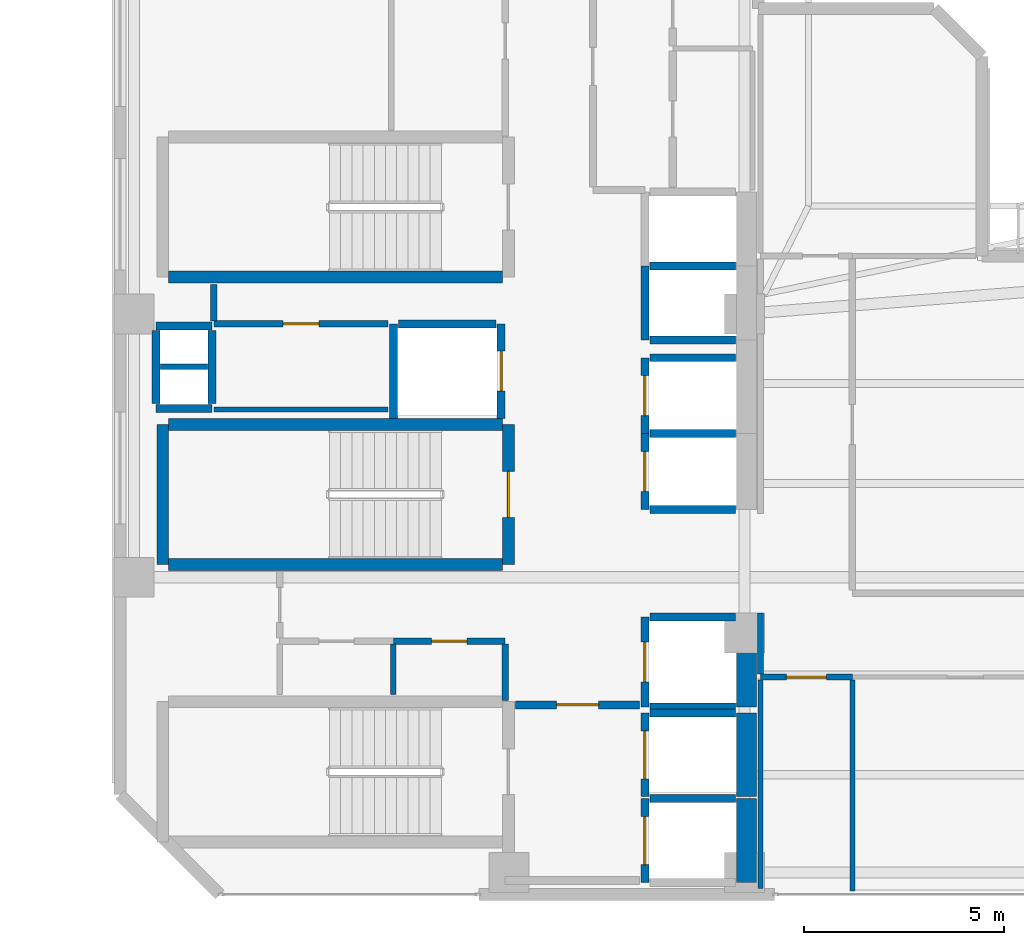
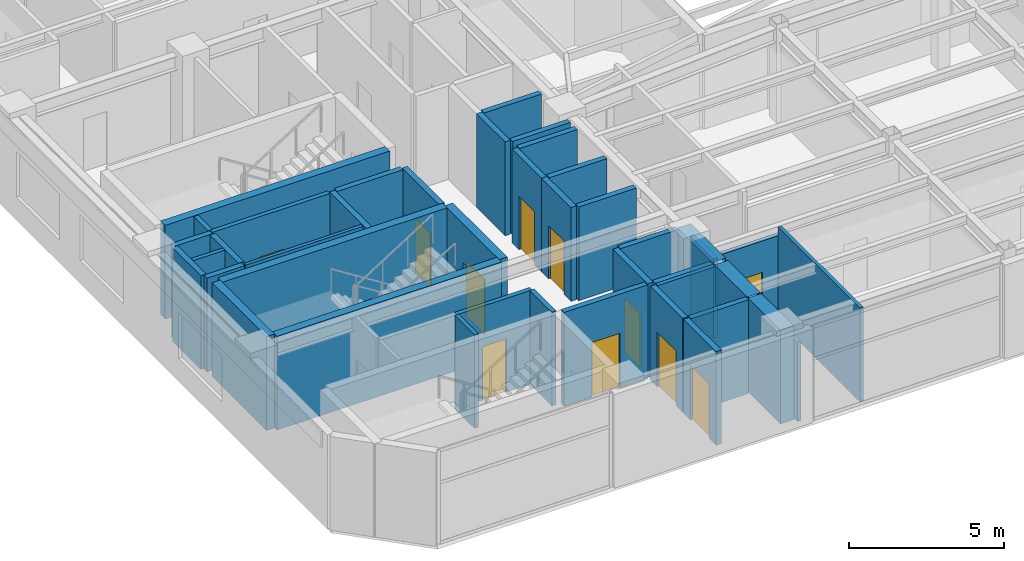
# One storey, part 9 of 16: 42 walls, 11 doors, 11 openings.
"""IFC4 building model written with IfcOpenShell, lengths in metres."""

from ifc_helpers import new_model, si_unit, direction, frame, frame_2d, origin, place, context, subcontext, project, spatial, rectangle, extrude, material, layer, layer_set, type_object, element, fill, save


model = new_model("IFC4")

# Units and contexts
model_context = context("Model", 3, precision=1e-05, world=origin(), true_north=direction((0.0, 1.0)))
body_context = subcontext(model_context, "Body", "Model", "MODEL_VIEW")
ifc_project = project(units=[si_unit("LENGTHUNIT", "METRE"), si_unit("AREAUNIT", "SQUARE_METRE"), si_unit("VOLUMEUNIT", "CUBIC_METRE"), si_unit("PLANEANGLEUNIT", "RADIAN"), si_unit("MASSUNIT", "GRAM", prefix="KILO")], contexts=[model_context])

# Site, building, storey
site_placement = place(None, origin())
site = spatial("IfcSite", under=ifc_project, at=site_placement, CompositionType="ELEMENT")
building_placement = place(site_placement, origin())
building = spatial("IfcBuilding", under=site, at=building_placement, Name="Mawjaban Terraces University", CompositionType="ELEMENT")
storey_placement = place(building_placement, frame((0.0, 0.0, 230.39990234375)))
storey = spatial("IfcBuildingStorey", under=building, at=storey_placement, Name="L56", CompositionType="ELEMENT", Elevation=230.39990234375)

# Walls
ifc_material_1 = material(Name="Concrete C60/75", Category="concrete")
ifc_layer_1 = layer(ifc_material_1, 0.5)
ifc_layer_set_1 = layer_set([ifc_layer_1], Name="Concrete C60/75")
wall_type_1 = type_object("IfcWallType", Name="CoreShearWall_500", PredefinedType="SHEAR", material=ifc_layer_set_1)
wall_1_placement = place(storey_placement, frame((37.699951171875, 0.300048828125, 0.0), z_axis=(0.0, 0.0, 1.0), x_axis=(0.0, 1.0, 0.0)))
element("IfcWall", 1, at=wall_1_placement, inside=storey, type_object=wall_type_1, Name="L56 Lift FL-1 Hoistway Wall East", PredefinedType="SHEAR", context=body_context, shape_type="SweptSolid", body=[
    extrude(rectangle(XDim=2.099853515625, YDim=0.5, at=frame_2d((1.0498046875, 0.0))), origin(), (0.0, 0.0, 1.0), 3.690185546875),
])
wall_2_placement = place(storey_placement, frame((37.699951171875, 2.449951171875, 0.0), z_axis=(0.0, 0.0, 1.0), x_axis=(0.0, 1.0, 0.0)))
element("IfcWall", 2, at=wall_2_placement, inside=storey, type_object=wall_type_1, Name="L56 Lift FL-2 Hoistway Wall East", PredefinedType="SHEAR", context=body_context, shape_type="SweptSolid", body=[
    extrude(rectangle(XDim=2.10009765625, YDim=0.5, at=frame_2d((1.050048828125, 0.0))), origin(), (0.0, 0.0, 1.0), 3.690185546875),
])
wall_3_placement = place(storey_placement, frame((37.699951171875, 4.699951171875, 0.0), z_axis=(0.0, 0.0, 1.0), x_axis=(0.0, 1.0, 0.0)))
element("IfcWall", 3, at=wall_3_placement, inside=storey, type_object=wall_type_1, Name="L56 Lift SL-1 Hoistway Wall East", PredefinedType="SHEAR", context=body_context, shape_type="SweptSolid", body=[
    extrude(rectangle(XDim=2.25, YDim=0.5, at=frame_2d((1.125, 0.0))), origin(), (0.0, 0.0, 1.0), 3.690185546875),
])

# Wall, opening, door
ifc_material_2 = material(Name="Fire-rated gypsum board on steel stud", Category="steel")
ifc_layer_2 = layer(ifc_material_2, 0.159912109375)
ifc_layer_set_2 = layer_set([ifc_layer_2], Name="Fire-rated gypsum board on steel stud")
wall_type_2 = type_object("IfcWallType", Name="CorridorPartition_160", PredefinedType="PARTITIONING", material=ifc_layer_set_2)
wall_4_placement = place(storey_placement, frame((24.35009765625, 14.300048828125, 0.0), z_axis=(0.0, 0.0, 1.0), x_axis=(1.0, 0.0, 0.0)))
wall_4 = element("IfcWall", 4, at=wall_4_placement, inside=storey, type_object=wall_type_2, Name="L56 Core Riser Access Passage Partition 2", PredefinedType="PARTITIONING", context=body_context, shape_type="SweptSolid", body=[
    extrude(rectangle(XDim=4.369873046875, YDim=0.159912109375, at=frame_2d((2.18505859375, 0.0))), origin(), (0.0, 0.0, 1.0), 3.690185546875),
])
opening_1_placement = place(wall_4_placement, frame((1.735107421875, 0.0, 0.0)))
opening_1 = element("IfcOpeningElement", 5, at=opening_1_placement, cuts=wall_4, Name="Opening ID-090", PredefinedType="OPENING", context=body_context, shape_type="SweptSolid", body=[
    extrude(rectangle(XDim=0.89990234375, YDim=2.10009765625, at=frame_2d((0.449951171875, 1.050048828125))), frame((0.0, 0.08984375, 0.0), z_axis=(0.0, -1.0, 0.0), x_axis=(1.0, 0.0, 0.0)), (0.0, 0.0, 1.0), 0.179931640625),
])
ifc_material_3 = material(Name="Powder-coated steel frame and solid acoustic timber leaf", Category="steel")
door_type_1 = type_object("IfcDoorType", Name="OfficeDoor_900x2100", OperationType="NOTDEFINED", PredefinedType="DOOR", material=ifc_material_3)
door_1_placement = place(opening_1_placement, origin())
door_1 = element("IfcDoor", 6, at=door_1_placement, inside=storey, type_object=door_type_1, Name="L56 Cleaner Store Door", OperationType="SINGLE_SWING_RIGHT", OverallHeight=2.10009765625, OverallWidth=0.89990234375, PredefinedType="DOOR", context=body_context, shape_type="SweptSolid", body=[
    extrude(rectangle(XDim=0.89990234375, YDim=2.10009765625, at=frame_2d((0.449951171875, 1.050048828125))), frame((0.0, 0.02490234375, 0.0), z_axis=(0.0, -1.0, 0.0), x_axis=(1.0, 0.0, 0.0)), (0.0, 0.0, 1.0), 0.050048828125),
])
fill(opening_1, door_1)

wall_5_placement = place(storey_placement, frame((28.85009765625, 6.35009765625, 0.0), z_axis=(0.0, 0.0, 1.0), x_axis=(1.0, 0.0, 0.0)))
wall_5 = element("IfcWall", 7, at=wall_5_placement, inside=storey, type_object=wall_type_2, Name="L56 Core Washroom Lobby Partition 8", PredefinedType="PARTITIONING", context=body_context, shape_type="SweptSolid", body=[
    extrude(rectangle(XDim=2.7998046875, YDim=0.159912109375, at=frame_2d((1.39990234375, 0.0))), origin(), (0.0, 0.0, 1.0), 3.690185546875),
])
opening_2_placement = place(wall_5_placement, frame((0.9599609375, 0.0, 0.0)))
opening_2 = element("IfcOpeningElement", 8, at=opening_2_placement, cuts=wall_5, Name="Opening ID-088", PredefinedType="OPENING", context=body_context, shape_type="SweptSolid", body=[
    extrude(rectangle(XDim=0.8798828125, YDim=2.10009765625, at=frame_2d((0.43994140625, 1.050048828125))), frame((0.0, 0.08984375, 0.0), z_axis=(0.0, -1.0, 0.0), x_axis=(1.0, 0.0, 0.0)), (0.0, 0.0, 1.0), 0.179931640625),
])
door_type_2 = type_object("IfcDoorType", Name="ToiletDoor_880x2100", OperationType="NOTDEFINED", PredefinedType="DOOR", material=ifc_material_3)
door_2_placement = place(opening_2_placement, origin())
door_2 = element("IfcDoor", 9, at=door_2_placement, inside=storey, type_object=door_type_2, Name="L56 Accessible Toilet Door", OperationType="SINGLE_SWING_LEFT", OverallHeight=2.10009765625, OverallWidth=0.8798828125, PredefinedType="DOOR", context=body_context, shape_type="SweptSolid", body=[
    extrude(rectangle(XDim=0.8798828125, YDim=2.10009765625, at=frame_2d((0.43994140625, 1.050048828125))), frame((0.0, 0.02490234375, 0.0), z_axis=(0.0, -1.0, 0.0), x_axis=(1.0, 0.0, 0.0)), (0.0, 0.0, 1.0), 0.050048828125),
])
fill(opening_2, door_2)

wall_6_placement = place(storey_placement, frame((38.050048828125, 5.449951171875, 0.0), z_axis=(0.0, 0.0, 1.0), x_axis=(1.0, 0.0, 0.0)))
wall_6 = element("IfcWall", 10, at=wall_6_placement, inside=storey, type_object=wall_type_2, Name="L56 South Spine Spur Link Partition 19", PredefinedType="PARTITIONING", context=body_context, shape_type="SweptSolid", body=[
    extrude(rectangle(XDim=2.300048828125, YDim=0.159912109375, at=frame_2d((1.14990234375, 0.0))), origin(), (0.0, 0.0, 1.0), 3.343017578125),
])
opening_3_placement = place(wall_6_placement, frame((0.64990234375, 0.0, 0.0)))
opening_3 = element("IfcOpeningElement", 11, at=opening_3_placement, cuts=wall_6, Name="Opening ID-100", PredefinedType="OPENING", context=body_context, shape_type="SweptSolid", body=[
    extrude(rectangle(XDim=1.0, YDim=2.10009765625, at=frame_2d((0.5, 1.050048828125))), frame((0.0, 0.08984375, 0.0), z_axis=(0.0, -1.0, 0.0), x_axis=(1.0, 0.0, 0.0)), (0.0, 0.0, 1.0), 0.179931640625),
])
door_type_3 = type_object("IfcDoorType", Name="ClassroomDoor_1000x2100", OperationType="NOTDEFINED", PredefinedType="DOOR", material=ifc_material_3)
door_3_placement = place(opening_3_placement, origin())
door_3 = element("IfcDoor", 12, at=door_3_placement, inside=storey, type_object=door_type_3, Name="L56 Tutorial Room 1 Door", OperationType="SINGLE_SWING_RIGHT", OverallHeight=2.10009765625, OverallWidth=1.0, PredefinedType="DOOR", context=body_context, shape_type="SweptSolid", body=[
    extrude(rectangle(XDim=1.0, YDim=2.10009765625, at=frame_2d((0.5, 1.050048828125))), frame((0.0, 0.02490234375, 0.0), z_axis=(0.0, -1.0, 0.0), x_axis=(1.0, 0.0, 0.0)), (0.0, 0.0, 1.0), 0.050048828125),
])
fill(opening_3, door_3)

# Walls
wall_7_placement = place(storey_placement, frame((24.35009765625, 15.2900390625, 0.0), z_axis=(0.0, 0.0, 1.0), x_axis=(0.0, -1.0, 0.0)))
element("IfcWall", 13, at=wall_7_placement, inside=storey, type_object=wall_type_2, Name="L56 Core Riser Access Passage Partition 30", PredefinedType="PARTITIONING", context=body_context, shape_type="SweptSolid", body=[
    extrude(rectangle(XDim=0.9150390625, YDim=0.159912109375, at=frame_2d((0.45751953125, 0.0))), origin(), (0.0, 0.0, 1.0), 3.690185546875),
])
wall_8_placement = place(storey_placement, frame((31.64990234375, 4.860107421875, 0.0), z_axis=(0.0, 0.0, 1.0), x_axis=(0.0, 1.0, 0.0)))
element("IfcWall", 14, at=wall_8_placement, inside=storey, type_object=wall_type_2, Name="L56 Accessible Toilet Partition 41", PredefinedType="PARTITIONING", context=body_context, shape_type="SweptSolid", body=[
    extrude(rectangle(XDim=1.414794921875, YDim=0.159912109375, at=frame_2d((0.70751953125, 0.0))), origin(), (0.0, 0.0, 1.0), 3.690185546875),
])
wall_9_placement = place(storey_placement, frame((38.050048828125, 7.050048828125, 0.0), z_axis=(0.0, 0.0, 1.0), x_axis=(0.0, -1.0, 0.0)))
element("IfcWall", 15, at=wall_9_placement, inside=storey, type_object=wall_type_2, Name="L56 South Spine Spur Link Partition 48", PredefinedType="PARTITIONING", context=body_context, shape_type="SweptSolid", body=[
    extrude(rectangle(XDim=1.525146484375, YDim=0.159912109375, at=frame_2d((0.7626953125, 0.0))), origin(), (0.0, 0.0, 1.0), 3.13916015625),
])

# Wall, opening, door
ifc_material_4 = material(Name="Concrete C40/50", Category="concrete")
ifc_layer_3 = layer(ifc_material_4, 0.199951171875)
ifc_layer_set_3 = layer_set([ifc_layer_3], Name="Concrete C40/50")
wall_type_3 = type_object("IfcWallType", Name="FireLobbyWall_200", PredefinedType="SOLIDWALL", material=ifc_layer_set_3)
wall_10_placement = place(storey_placement, frame((35.14990234375, 2.39990234375, 0.0), z_axis=(0.0, 0.0, 1.0), x_axis=(0.0, -1.0, 0.0)))
wall_10 = element("IfcWall", 16, at=wall_10_placement, inside=storey, type_object=wall_type_3, Name="L56 Lift FL-1 Hoistway Wall West", PredefinedType="SOLIDWALL", context=body_context, shape_type="SweptSolid", body=[
    extrude(rectangle(XDim=2.099853515625, YDim=0.199951171875, at=frame_2d((1.0498046875, 0.0))), origin(), (0.0, 0.0, 1.0), 3.690185546875),
])
opening_4_placement = place(wall_10_placement, frame((0.449951171875, 0.0, 0.0)))
opening_4 = element("IfcOpeningElement", 17, at=opening_4_placement, cuts=wall_10, Name="Opening LD-FL-1", PredefinedType="OPENING", context=body_context, shape_type="SweptSolid", body=[
    extrude(rectangle(XDim=1.199951171875, YDim=2.14990234375, at=frame_2d((0.60009765625, 1.074951171875))), frame((0.0, 0.10986328125, 0.0), z_axis=(0.0, -1.0, 0.0), x_axis=(1.0, 0.0, 0.0)), (0.0, 0.0, 1.0), 0.219970703125),
])
ifc_material_5 = material(Name="Powder-coated steel frame and fire-rated steel-faced leaf", Category="steel")
door_type_4 = type_object("IfcDoorType", Name="LiftLandingFSAE_1200x2150", OperationType="NOTDEFINED", PredefinedType="DOOR", material=ifc_material_5)
door_4_placement = place(opening_4_placement, origin())
door_4 = element("IfcDoor", 18, at=door_4_placement, inside=storey, type_object=door_type_4, Name="L56 Lift FL-1 Sliding Landing Door", OperationType="DOUBLE_DOOR_SLIDING", OverallHeight=2.14990234375, OverallWidth=1.199951171875, PredefinedType="DOOR", context=body_context, shape_type="SweptSolid", body=[
    extrude(rectangle(XDim=1.199951171875, YDim=2.14990234375, at=frame_2d((0.60009765625, 1.074951171875))), frame((0.0, 0.02490234375, 0.0), z_axis=(0.0, -1.0, 0.0), x_axis=(1.0, 0.0, 0.0)), (0.0, 0.0, 1.0), 0.050048828125),
])
fill(opening_4, door_4)

# Wall
wall_11_placement = place(storey_placement, frame((37.419921875, 2.39990234375, 0.0), z_axis=(0.0, 0.0, 1.0), x_axis=(-1.0, 0.0, 0.0)))
element("IfcWall", 19, at=wall_11_placement, inside=storey, type_object=wall_type_3, Name="L56 Lift FL-1 Hoistway Wall North", PredefinedType="SOLIDWALL", context=body_context, shape_type="SweptSolid", body=[
    extrude(rectangle(XDim=2.139892578125, YDim=0.199951171875, at=frame_2d((1.06982421875, 0.0))), origin(), (0.0, 0.0, 1.0), 3.690185546875),
])

# Wall, opening, door
wall_12_placement = place(storey_placement, frame((35.14990234375, 4.550048828125, 0.0), z_axis=(0.0, 0.0, 1.0), x_axis=(0.0, -1.0, 0.0)))
wall_12 = element("IfcWall", 20, at=wall_12_placement, inside=storey, type_object=wall_type_3, Name="L56 Lift FL-2 Hoistway Wall West", PredefinedType="SOLIDWALL", context=body_context, shape_type="SweptSolid", body=[
    extrude(rectangle(XDim=2.10009765625, YDim=0.199951171875, at=frame_2d((1.050048828125, 0.0))), origin(), (0.0, 0.0, 1.0), 3.690185546875),
])
opening_5_placement = place(wall_12_placement, frame((0.449951171875, 0.0, 0.0)))
opening_5 = element("IfcOpeningElement", 21, at=opening_5_placement, cuts=wall_12, Name="Opening LD-FL-2", PredefinedType="OPENING", context=body_context, shape_type="SweptSolid", body=[
    extrude(rectangle(XDim=1.199951171875, YDim=2.14990234375, at=frame_2d((0.60009765625, 1.074951171875))), frame((0.0, 0.10986328125, 0.0), z_axis=(0.0, -1.0, 0.0), x_axis=(1.0, 0.0, 0.0)), (0.0, 0.0, 1.0), 0.219970703125),
])
door_5_placement = place(opening_5_placement, origin())
door_5 = element("IfcDoor", 22, at=door_5_placement, inside=storey, type_object=door_type_4, Name="L56 Lift FL-2 Sliding Landing Door", OperationType="DOUBLE_DOOR_SLIDING", OverallHeight=2.14990234375, OverallWidth=1.199951171875, PredefinedType="DOOR", context=body_context, shape_type="SweptSolid", body=[
    extrude(rectangle(XDim=1.199951171875, YDim=2.14990234375, at=frame_2d((0.60009765625, 1.074951171875))), frame((0.0, 0.02490234375, 0.0), z_axis=(0.0, -1.0, 0.0), x_axis=(1.0, 0.0, 0.0)), (0.0, 0.0, 1.0), 0.050048828125),
])
fill(opening_5, door_5)

# Wall
wall_13_placement = place(storey_placement, frame((37.419921875, 4.550048828125, 0.0), z_axis=(0.0, 0.0, 1.0), x_axis=(-1.0, 0.0, 0.0)))
element("IfcWall", 23, at=wall_13_placement, inside=storey, type_object=wall_type_3, Name="L56 Lift FL-2 Hoistway Wall North", PredefinedType="SOLIDWALL", context=body_context, shape_type="SweptSolid", body=[
    extrude(rectangle(XDim=2.139892578125, YDim=0.199951171875, at=frame_2d((1.06982421875, 0.0))), origin(), (0.0, 0.0, 1.0), 3.690185546875),
])

# Wall, opening, door
wall_14_placement = place(storey_placement, frame((35.14990234375, 6.949951171875, 0.0), z_axis=(0.0, 0.0, 1.0), x_axis=(0.0, -1.0, 0.0)))
wall_14 = element("IfcWall", 24, at=wall_14_placement, inside=storey, type_object=wall_type_3, Name="L56 Lift SL-1 Hoistway Wall West", PredefinedType="SOLIDWALL", context=body_context, shape_type="SweptSolid", body=[
    extrude(rectangle(XDim=2.25, YDim=0.199951171875, at=frame_2d((1.125, 0.0))), origin(), (0.0, 0.0, 1.0), 3.690185546875),
])
opening_6_placement = place(wall_14_placement, frame((0.625, 0.0, 0.0)))
opening_6 = element("IfcOpeningElement", 25, at=opening_6_placement, cuts=wall_14, Name="Opening LD-SL-1", PredefinedType="OPENING", context=body_context, shape_type="SweptSolid", body=[
    extrude(rectangle(XDim=1.0, YDim=2.10009765625, at=frame_2d((0.5, 1.050048828125))), frame((0.0, 0.10986328125, 0.0), z_axis=(0.0, -1.0, 0.0), x_axis=(1.0, 0.0, 0.0)), (0.0, 0.0, 1.0), 0.219970703125),
])
door_type_5 = type_object("IfcDoorType", Name="LiftLandingSliding_1000x2100", OperationType="NOTDEFINED", PredefinedType="DOOR", material=ifc_material_5)
door_6_placement = place(opening_6_placement, origin())
door_6 = element("IfcDoor", 26, at=door_6_placement, inside=storey, type_object=door_type_5, Name="L56 Lift SL-1 Sliding Landing Door", OperationType="DOUBLE_DOOR_SLIDING", OverallHeight=2.10009765625, OverallWidth=1.0, PredefinedType="DOOR", context=body_context, shape_type="SweptSolid", body=[
    extrude(rectangle(XDim=1.0, YDim=2.10009765625, at=frame_2d((0.5, 1.050048828125))), frame((0.0, 0.02490234375, 0.0), z_axis=(0.0, -1.0, 0.0), x_axis=(1.0, 0.0, 0.0)), (0.0, 0.0, 1.0), 0.050048828125),
])
fill(opening_6, door_6)

# Walls
for number, where, z_axis, x_axis, name in (
    (27, (35.280029296875, 4.699951171875, 0.0), (0.0, 0.0, 1.0), (1.0, 0.0, 0.0), "L56 Lift SL-1 Hoistway Wall South"),
    (28, (37.419921875, 6.949951171875, 0.0), (0.0, 0.0, 1.0), (-1.0, 0.0, 0.0), "L56 Lift SL-1 Hoistway Wall North"),
):
    element("IfcWall", number, at=place(storey_placement, frame(where, z_axis=z_axis, x_axis=x_axis)), inside=storey, type_object=wall_type_3, Name=name, PredefinedType="SOLIDWALL", context=body_context, shape_type="SweptSolid", body=[
        extrude(rectangle(XDim=2.139892578125, YDim=0.199951171875, at=frame_2d((1.06982421875, 0.0))), origin(), (0.0, 0.0, 1.0), 3.690185546875),
    ])

# Wall, opening, door
wall_15_placement = place(storey_placement, frame((35.14990234375, 11.550048828125, 0.0), z_axis=(0.0, 0.0, 1.0), x_axis=(0.0, -1.0, 0.0)))
wall_15 = element("IfcWall", 29, at=wall_15_placement, inside=storey, type_object=wall_type_3, Name="L56 Lift PL-H1 Hoistway Wall West", PredefinedType="SOLIDWALL", context=body_context, shape_type="SweptSolid", body=[
    extrude(rectangle(XDim=1.900146484375, YDim=0.199951171875, at=frame_2d((0.9501953125, 0.0))), origin(), (0.0, 0.0, 1.0), 3.690185546875),
])
opening_7_placement = place(wall_15_placement, frame((0.449951171875, 0.0, 0.0)))
opening_7 = element("IfcOpeningElement", 30, at=opening_7_placement, cuts=wall_15, Name="Opening LD-PL-H1", PredefinedType="OPENING", context=body_context, shape_type="SweptSolid", body=[
    extrude(rectangle(XDim=1.0, YDim=2.10009765625, at=frame_2d((0.5, 1.050048828125))), frame((0.0, 0.10986328125, 0.0), z_axis=(0.0, -1.0, 0.0), x_axis=(1.0, 0.0, 0.0)), (0.0, 0.0, 1.0), 0.219970703125),
])
door_7_placement = place(opening_7_placement, origin())
door_7 = element("IfcDoor", 31, at=door_7_placement, inside=storey, type_object=door_type_5, Name="L56 Lift PL-H1 Sliding Landing Door", OperationType="DOUBLE_DOOR_SLIDING", OverallHeight=2.10009765625, OverallWidth=1.0, PredefinedType="DOOR", context=body_context, shape_type="SweptSolid", body=[
    extrude(rectangle(XDim=1.0, YDim=2.10009765625, at=frame_2d((0.5, 1.050048828125))), frame((0.0, 0.02490234375, 0.0), z_axis=(0.0, -1.0, 0.0), x_axis=(1.0, 0.0, 0.0)), (0.0, 0.0, 1.0), 0.050048828125),
])
fill(opening_7, door_7)

# Walls
for number, where, z_axis, x_axis, name in (
    (32, (35.280029296875, 9.64990234375, 0.0), (0.0, 0.0, 1.0), (1.0, 0.0, 0.0), "L56 Lift PL-H1 Hoistway Wall South"),
    (33, (37.419921875, 11.550048828125, 0.0), (0.0, 0.0, 1.0), (-1.0, 0.0, 0.0), "L56 Lift PL-H1 Hoistway Wall North"),
):
    element("IfcWall", number, at=place(storey_placement, frame(where, z_axis=z_axis, x_axis=x_axis)), inside=storey, type_object=wall_type_3, Name=name, PredefinedType="SOLIDWALL", context=body_context, shape_type="SweptSolid", body=[
        extrude(rectangle(XDim=2.139892578125, YDim=0.199951171875, at=frame_2d((1.06982421875, 0.0))), origin(), (0.0, 0.0, 1.0), 3.690185546875),
    ])

# Wall, opening, door
wall_16_placement = place(storey_placement, frame((35.14990234375, 13.449951171875, 0.0), z_axis=(0.0, 0.0, 1.0), x_axis=(0.0, -1.0, 0.0)))
wall_16 = element("IfcWall", 34, at=wall_16_placement, inside=storey, type_object=wall_type_3, Name="L56 Lift PL-H2 Hoistway Wall West", PredefinedType="SOLIDWALL", context=body_context, shape_type="SweptSolid", body=[
    extrude(rectangle(XDim=1.89990234375, YDim=0.199951171875, at=frame_2d((0.949951171875, 0.0))), origin(), (0.0, 0.0, 1.0), 3.690185546875),
])
opening_8_placement = place(wall_16_placement, frame((0.449951171875, 0.0, 0.0)))
opening_8 = element("IfcOpeningElement", 35, at=opening_8_placement, cuts=wall_16, Name="Opening LD-PL-H2", PredefinedType="OPENING", context=body_context, shape_type="SweptSolid", body=[
    extrude(rectangle(XDim=1.0, YDim=2.10009765625, at=frame_2d((0.5, 1.050048828125))), frame((0.0, 0.10986328125, 0.0), z_axis=(0.0, -1.0, 0.0), x_axis=(1.0, 0.0, 0.0)), (0.0, 0.0, 1.0), 0.219970703125),
])
door_8_placement = place(opening_8_placement, origin())
door_8 = element("IfcDoor", 36, at=door_8_placement, inside=storey, type_object=door_type_5, Name="L56 Lift PL-H2 Sliding Landing Door", OperationType="DOUBLE_DOOR_SLIDING", OverallHeight=2.10009765625, OverallWidth=1.0, PredefinedType="DOOR", context=body_context, shape_type="SweptSolid", body=[
    extrude(rectangle(XDim=1.0, YDim=2.10009765625, at=frame_2d((0.5, 1.050048828125))), frame((0.0, 0.02490234375, 0.0), z_axis=(0.0, -1.0, 0.0), x_axis=(1.0, 0.0, 0.0)), (0.0, 0.0, 1.0), 0.050048828125),
])
fill(opening_8, door_8)

# Walls
wall_17_placement = place(storey_placement, frame((37.419921875, 13.449951171875, 0.0), z_axis=(0.0, 0.0, 1.0), x_axis=(-1.0, 0.0, 0.0)))
element("IfcWall", 37, at=wall_17_placement, inside=storey, type_object=wall_type_3, Name="L56 Lift PL-H2 Hoistway Wall North", PredefinedType="SOLIDWALL", context=body_context, shape_type="SweptSolid", body=[
    extrude(rectangle(XDim=2.139892578125, YDim=0.199951171875, at=frame_2d((1.06982421875, 0.0))), origin(), (0.0, 0.0, 1.0), 3.690185546875),
])
wall_18_placement = place(storey_placement, frame((28.85009765625, 14.300048828125, 0.0), z_axis=(0.0, 0.0, 1.0), x_axis=(0.0, -1.0, 0.0)))
element("IfcWall", 38, at=wall_18_placement, inside=storey, type_object=wall_type_3, Name="L56 Lift PL-H3 Hoistway Wall West", PredefinedType="SOLIDWALL", context=body_context, shape_type="SweptSolid", body=[
    extrude(rectangle(XDim=2.3701171875, YDim=0.199951171875, at=frame_2d((1.18505859375, 0.0))), origin(), (0.0, 0.0, 1.0), 3.690185546875),
])

# Wall, opening, door
wall_19_placement = place(storey_placement, frame((31.550048828125, 11.929931640625, 0.0), z_axis=(0.0, 0.0, 1.0), x_axis=(0.0, 1.0, 0.0)))
wall_19 = element("IfcWall", 39, at=wall_19_placement, inside=storey, type_object=wall_type_3, Name="L56 Lift PL-H3 Hoistway Wall East", PredefinedType="SOLIDWALL", context=body_context, shape_type="SweptSolid", body=[
    extrude(rectangle(XDim=2.3701171875, YDim=0.199951171875, at=frame_2d((1.18505859375, 0.0))), origin(), (0.0, 0.0, 1.0), 3.690185546875),
])
opening_9_placement = place(wall_19_placement, frame((0.68505859375, 0.0, 0.0)))
opening_9 = element("IfcOpeningElement", 40, at=opening_9_placement, cuts=wall_19, Name="Opening LD-PL-H3", PredefinedType="OPENING", context=body_context, shape_type="SweptSolid", body=[
    extrude(rectangle(XDim=1.0, YDim=2.10009765625, at=frame_2d((0.5, 1.050048828125))), frame((0.0, 0.10986328125, 0.0), z_axis=(0.0, -1.0, 0.0), x_axis=(1.0, 0.0, 0.0)), (0.0, 0.0, 1.0), 0.219970703125),
])
door_9_placement = place(opening_9_placement, origin())
door_9 = element("IfcDoor", 41, at=door_9_placement, inside=storey, type_object=door_type_5, Name="L56 Lift PL-H3 Sliding Landing Door", OperationType="DOUBLE_DOOR_SLIDING", OverallHeight=2.10009765625, OverallWidth=1.0, PredefinedType="DOOR", context=body_context, shape_type="SweptSolid", body=[
    extrude(rectangle(XDim=1.0, YDim=2.10009765625, at=frame_2d((0.5, 1.050048828125))), frame((0.0, 0.02490234375, 0.0), z_axis=(0.0, -1.0, 0.0), x_axis=(1.0, 0.0, 0.0)), (0.0, 0.0, 1.0), 0.050048828125),
])
fill(opening_9, door_9)

# Walls
wall_20_placement = place(storey_placement, frame((31.419921875, 14.300048828125, 0.0), z_axis=(0.0, 0.0, 1.0), x_axis=(-1.0, 0.0, 0.0)))
element("IfcWall", 42, at=wall_20_placement, inside=storey, type_object=wall_type_3, Name="L56 Lift PL-H3 Hoistway Wall North", PredefinedType="SOLIDWALL", context=body_context, shape_type="SweptSolid", body=[
    extrude(rectangle(XDim=2.43994140625, YDim=0.199951171875, at=frame_2d((1.219970703125, 0.0))), origin(), (0.0, 0.0, 1.0), 3.690185546875),
])
wall_21_placement = place(storey_placement, frame((35.14990234375, 15.75, 0.0), z_axis=(0.0, 0.0, 1.0), x_axis=(0.0, -1.0, 0.0)))
element("IfcWall", 43, at=wall_21_placement, inside=storey, type_object=wall_type_3, Name="L56 Lift OL-1 Hoistway Wall West", PredefinedType="SOLIDWALL", context=body_context, shape_type="SweptSolid", body=[
    extrude(rectangle(XDim=1.85009765625, YDim=0.199951171875, at=frame_2d((0.925048828125, 0.0))), origin(), (0.0, 0.0, 1.0), 3.690185546875),
])
for number, where, z_axis, x_axis, name in (
    (44, (35.280029296875, 13.89990234375, 0.0), (0.0, 0.0, 1.0), (1.0, 0.0, 0.0), "L56 Lift OL-1 Hoistway Wall South"),
    (45, (37.419921875, 15.75, 0.0), (0.0, 0.0, 1.0), (-1.0, 0.0, 0.0), "L56 Lift OL-1 Hoistway Wall North"),
):
    element("IfcWall", number, at=place(storey_placement, frame(where, z_axis=z_axis, x_axis=x_axis)), inside=storey, type_object=wall_type_3, Name=name, PredefinedType="SOLIDWALL", context=body_context, shape_type="SweptSolid", body=[
        extrude(rectangle(XDim=2.139892578125, YDim=0.199951171875, at=frame_2d((1.06982421875, 0.0))), origin(), (0.0, 0.0, 1.0), 3.690185546875),
    ])
for number, where, z_axis, x_axis, name in (
    (46, (22.89990234375, 14.25, 0.0), (0.0, 0.0, 1.0), (1.0, 0.0, 0.0), "L56 MEP Riser Shaft Wall N"),
    (47, (22.89990234375, 12.179931640625, 0.0), (0.0, 0.0, 1.0), (1.0, 0.0, 0.0), "L56 MEP Riser Shaft Wall S"),
):
    element("IfcWall", number, at=place(storey_placement, frame(where, z_axis=z_axis, x_axis=x_axis)), inside=storey, type_object=wall_type_3, Name=name, PredefinedType="SOLIDWALL", context=body_context, shape_type="SweptSolid", body=[
        extrude(rectangle(XDim=1.400146484375, YDim=0.199951171875, at=frame_2d((0.7001953125, 0.0))), origin(), (0.0, 0.0, 1.0), 3.690185546875),
    ])
for number, where, z_axis, x_axis, name in (
    (48, (24.300048828125, 12.300048828125, 0.0), (0.0, 0.0, 1.0), (0.0, 1.0, 0.0), "L56 MEP Riser Shaft Wall E"),
    (49, (22.89990234375, 12.300048828125, 0.0), (0.0, 0.0, 1.0), (0.0, 1.0, 0.0), "L56 MEP Riser Shaft Wall W"),
):
    element("IfcWall", number, at=place(storey_placement, frame(where, z_axis=z_axis, x_axis=x_axis)), inside=storey, type_object=wall_type_3, Name=name, PredefinedType="SOLIDWALL", context=body_context, shape_type="SweptSolid", body=[
        extrude(rectangle(XDim=1.829833984375, YDim=0.199951171875, at=frame_2d((0.9150390625, 0.0))), origin(), (0.0, 0.0, 1.0), 3.690185546875),
    ])

# Wall, opening, door
wall_22_placement = place(storey_placement, frame((35.02001953125, 4.75, 0.0), z_axis=(0.0, 0.0, 1.0), x_axis=(-1.0, 0.0, 0.0)))
wall_22 = element("IfcWall", 50, at=wall_22_placement, inside=storey, type_object=wall_type_3, Name="L56 Firefighting Lift Lobby Partition 12", PredefinedType="SOLIDWALL", context=body_context, shape_type="SweptSolid", body=[
    extrude(rectangle(XDim=3.110107421875, YDim=0.199951171875, at=frame_2d((1.55517578125, 0.0))), origin(), (0.0, 0.0, 1.0), 3.690185546875),
])
opening_10_placement = place(wall_22_placement, frame((1.030029296875, 0.0, 0.0)))
opening_10 = element("IfcOpeningElement", 51, at=opening_10_placement, cuts=wall_22, Name="Opening FD-105", PredefinedType="OPENING", context=body_context, shape_type="SweptSolid", body=[
    extrude(rectangle(XDim=1.050048828125, YDim=2.14990234375, at=frame_2d((0.52490234375, 1.074951171875))), frame((0.0, 0.10986328125, 0.0), z_axis=(0.0, -1.0, 0.0), x_axis=(1.0, 0.0, 0.0)), (0.0, 0.0, 1.0), 0.219970703125),
])
door_type_6 = type_object("IfcDoorType", Name="FireLobbyDoor_1050x2150", OperationType="NOTDEFINED", PredefinedType="DOOR", material=ifc_material_5)
door_10_placement = place(opening_10_placement, origin())
door_10 = element("IfcDoor", 52, at=door_10_placement, inside=storey, type_object=door_type_6, Name="L56 Firefighting Lift Lobby Door", OperationType="SINGLE_SWING_RIGHT", OverallHeight=2.14990234375, OverallWidth=1.050048828125, PredefinedType="DOOR", context=body_context, shape_type="SweptSolid", body=[
    extrude(rectangle(XDim=1.050048828125, YDim=2.14990234375, at=frame_2d((0.52490234375, 1.074951171875))), frame((0.0, 0.02490234375, 0.0), z_axis=(0.0, -1.0, 0.0), x_axis=(1.0, 0.0, 0.0)), (0.0, 0.0, 1.0), 0.050048828125),
])
fill(opening_10, door_10)

# Walls
ifc_material_6 = material(Name="Moisture-resistant gypsum board on steel stud", Category="steel")
ifc_layer_4 = layer(ifc_material_6, 0.14501953125)
ifc_layer_set_4 = layer_set([ifc_layer_4], Name="Moisture-resistant gypsum board on steel stud")
wall_type_4 = type_object("IfcWallType", Name="LabPartition_145", PredefinedType="PARTITIONING", material=ifc_layer_set_4)
wall_23_placement = place(storey_placement, frame((23.010009765625, 13.22509765625, 0.0), z_axis=(0.0, 0.0, 1.0), x_axis=(1.0, 0.0, 0.0)))
element("IfcWall", 53, at=wall_23_placement, inside=storey, type_object=wall_type_4, Name="L56 MEP Riser Shaft Wall M", PredefinedType="PARTITIONING", context=body_context, shape_type="SweptSolid", body=[
    extrude(rectangle(XDim=1.179931640625, YDim=0.14501953125, at=frame_2d((0.58984375, 0.0))), origin(), (0.0, 0.0, 1.0), 3.690185546875),
])
ifc_material_7 = material(Name="Gypsum plasterboard on steel stud", Category="steel")
ifc_layer_5 = layer(ifc_material_7, 0.125)
ifc_layer_set_5 = layer_set([ifc_layer_5], Name="Gypsum plasterboard on steel stud")
wall_type_5 = type_object("IfcWallType", Name="OfficePartition_125", PredefinedType="PARTITIONING", material=ifc_layer_set_5)
wall_24_placement = place(storey_placement, frame((24.35009765625, 12.14990234375, 0.0), z_axis=(0.0, 0.0, 1.0), x_axis=(1.0, 0.0, 0.0)))
element("IfcWall", 54, at=wall_24_placement, inside=storey, type_object=wall_type_5, Name="L56 Cleaner Store Partition 1", PredefinedType="PARTITIONING", context=body_context, shape_type="SweptSolid", body=[
    extrude(rectangle(XDim=4.369873046875, YDim=0.125, at=frame_2d((2.18505859375, 0.0))), origin(), (0.0, 0.0, 1.0), 3.690185546875),
])
wall_25_placement = place(storey_placement, frame((38.050048828125, 5.375, 0.0), z_axis=(0.0, 0.0, 1.0), x_axis=(0.0, -1.0, 0.0)))
element("IfcWall", 55, at=wall_25_placement, inside=storey, type_object=wall_type_5, Name="L56 Tutorial Room 1 Partition 47", PredefinedType="PARTITIONING", context=body_context, shape_type="SweptSolid", body=[
    extrude(rectangle(XDim=5.22998046875, YDim=0.125, at=frame_2d((2.614990234375, 0.0))), origin(), (0.0, 0.0, 1.0), 3.13916015625),
])
wall_26_placement = place(storey_placement, frame((40.35009765625, 0.090087890625, 0.0), z_axis=(0.0, 0.0, 1.0), x_axis=(0.0, 1.0, 0.0)))
element("IfcWall", 56, at=wall_26_placement, inside=storey, type_object=wall_type_5, Name="L56 Tutorial Room 1 Partition 51", PredefinedType="PARTITIONING", context=body_context, shape_type="SweptSolid", body=[
    extrude(rectangle(XDim=5.284912109375, YDim=0.125, at=frame_2d((2.642578125, 0.0))), origin(), (0.0, 0.0, 1.0), 3.690185546875),
])
ifc_layer_6 = layer(ifc_material_1, 0.300048828125)
ifc_layer_set_6 = layer_set([ifc_layer_6], Name="Concrete C60/75")
wall_type_6 = type_object("IfcWallType", Name="StairShaftWall_300", PredefinedType="SHEAR", material=ifc_layer_set_6)
for number, where, z_axis, x_axis, name in (
    (57, (23.219970703125, 15.469970703125, 0.0), (0.0, 0.0, 1.0), (1.0, 0.0, 0.0), "L56 ST-2 Stair Shaft Wall 3"),
    (58, (31.580078125, 11.780029296875, 0.0), (0.0, 0.0, 1.0), (-1.0, 0.0, 0.0), "L56 ST-3 Stair Shaft Wall 1"),
):
    element("IfcWall", number, at=place(storey_placement, frame(where, z_axis=z_axis, x_axis=x_axis)), inside=storey, type_object=wall_type_6, Name=name, PredefinedType="SHEAR", context=body_context, shape_type="SweptSolid", body=[
        extrude(rectangle(XDim=8.360107421875, YDim=0.300048828125, at=frame_2d((4.18017578125, 0.0))), origin(), (0.0, 0.0, 1.0), 3.690185546875),
    ])
wall_27_placement = place(storey_placement, frame((23.070068359375, 11.780029296875, 0.0), z_axis=(0.0, 0.0, 1.0), x_axis=(0.0, -1.0, 0.0)))
element("IfcWall", 59, at=wall_27_placement, inside=storey, type_object=wall_type_6, Name="L56 ST-3 Stair Shaft Wall 2", PredefinedType="SHEAR", context=body_context, shape_type="SweptSolid", body=[
    extrude(rectangle(XDim=3.510009765625, YDim=0.300048828125, at=frame_2d((1.7548828125, 0.0))), origin(), (0.0, 0.0, 1.0), 3.690185546875),
])
wall_28_placement = place(storey_placement, frame((23.219970703125, 8.27001953125, 0.0), z_axis=(0.0, 0.0, 1.0), x_axis=(1.0, 0.0, 0.0)))
element("IfcWall", 60, at=wall_28_placement, inside=storey, type_object=wall_type_6, Name="L56 ST-3 Stair Shaft Wall 3", PredefinedType="SHEAR", context=body_context, shape_type="SweptSolid", body=[
    extrude(rectangle(XDim=8.360107421875, YDim=0.300048828125, at=frame_2d((4.18017578125, 0.0))), origin(), (0.0, 0.0, 1.0), 3.690185546875),
])

# Wall, opening, door
wall_29_placement = place(storey_placement, frame((31.72998046875, 8.27001953125, 0.0), z_axis=(0.0, 0.0, 1.0), x_axis=(0.0, 1.0, 0.0)))
wall_29 = element("IfcWall", 61, at=wall_29_placement, inside=storey, type_object=wall_type_6, Name="L56 ST-3 Stair Shaft Wall 4", PredefinedType="SHEAR", context=body_context, shape_type="SweptSolid", body=[
    extrude(rectangle(XDim=3.510009765625, YDim=0.300048828125, at=frame_2d((1.7548828125, 0.0))), origin(), (0.0, 0.0, 1.0), 3.690185546875),
])
opening_11_placement = place(wall_29_placement, frame((1.179931640625, 0.0, 0.0)))
opening_11 = element("IfcOpeningElement", 62, at=opening_11_placement, cuts=wall_29, Name="Opening FD-115", PredefinedType="OPENING", context=body_context, shape_type="SweptSolid", body=[
    extrude(rectangle(XDim=1.14990234375, YDim=2.14990234375, at=frame_2d((0.574951171875, 1.074951171875))), frame((0.0, 0.159912109375, 0.0), z_axis=(0.0, -1.0, 0.0), x_axis=(1.0, 0.0, 0.0)), (0.0, 0.0, 1.0), 0.320068359375),
])
door_type_7 = type_object("IfcDoorType", Name="FireStairDoor_1150x2150", OperationType="NOTDEFINED", PredefinedType="DOOR", material=ifc_material_5)
door_11_placement = place(opening_11_placement, origin())
door_11 = element("IfcDoor", 63, at=door_11_placement, inside=storey, type_object=door_type_7, Name="L56 ST-3 Pressurised Stair Fire Door", OperationType="SINGLE_SWING_LEFT", OverallHeight=2.14990234375, OverallWidth=1.14990234375, PredefinedType="DOOR", context=body_context, shape_type="SweptSolid", body=[
    extrude(rectangle(XDim=1.14990234375, YDim=2.14990234375, at=frame_2d((0.574951171875, 1.074951171875))), frame((0.0, 0.02490234375, 0.0), z_axis=(0.0, -1.0, 0.0), x_axis=(1.0, 0.0, 0.0)), (0.0, 0.0, 1.0), 0.050048828125),
])
fill(opening_11, door_11)

# Wall
ifc_material_8 = material(Name="Cement-board wet-room partition", Category="masonry")
ifc_layer_7 = layer(ifc_material_8, 0.135009765625)
ifc_layer_set_7 = layer_set([ifc_layer_7], Name="Cement-board wet-room partition")
wall_type_7 = type_object("IfcWallType", Name="WetRoomPartition_135", PredefinedType="PARTITIONING", material=ifc_layer_set_7)
wall_30_placement = place(storey_placement, frame((28.85009765625, 5.010009765625, 0.0), z_axis=(0.0, 0.0, 1.0), x_axis=(0.0, 1.0, 0.0)))
element("IfcWall", 64, at=wall_30_placement, inside=storey, type_object=wall_type_7, Name="L56 Male Toilet Partition 40", PredefinedType="PARTITIONING", context=body_context, shape_type="SweptSolid", body=[
    extrude(rectangle(XDim=1.264892578125, YDim=0.135009765625, at=frame_2d((0.63232421875, 0.0))), origin(), (0.0, 0.0, 1.0), 3.690185546875),
])

save(model, "model.ifc")
